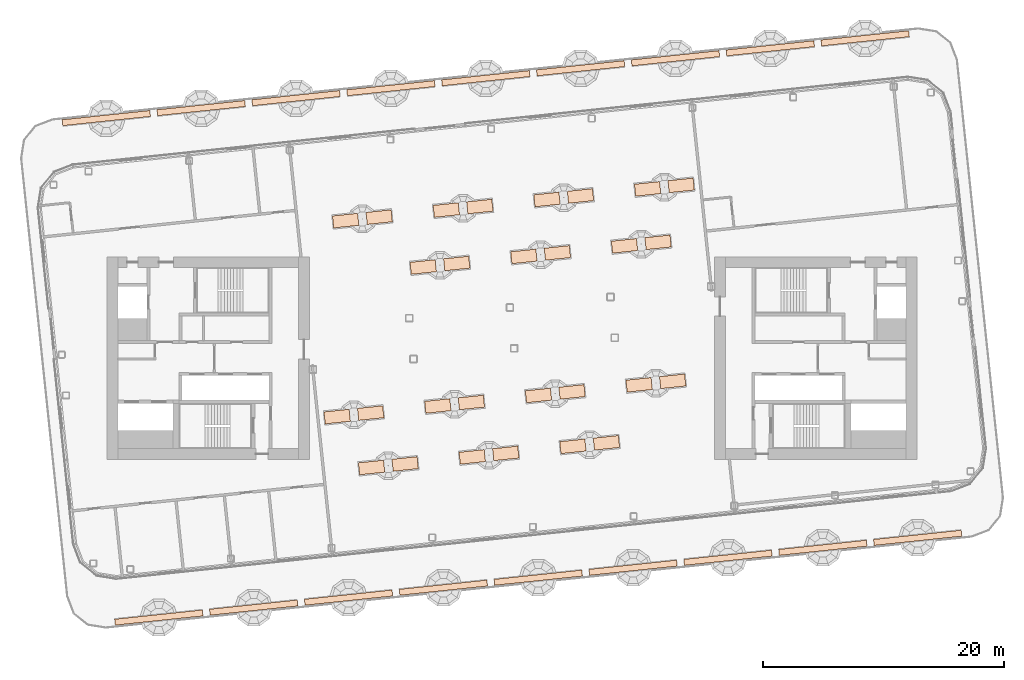
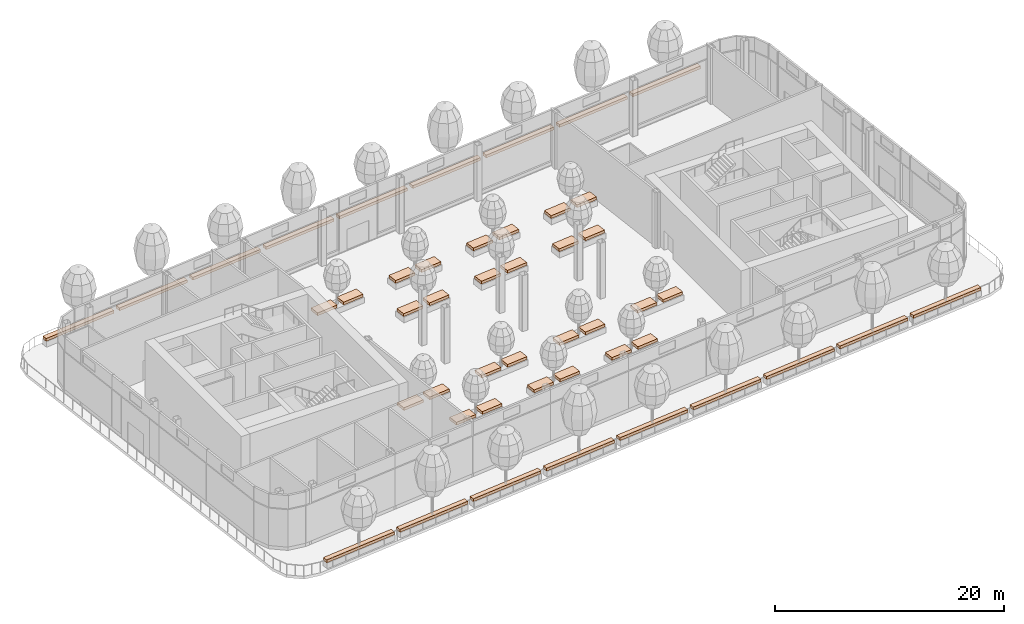
# One storey, part 36 of 42: 46 geographic elements.
"""IFC4 building model written with IfcOpenShell, lengths in metres."""

from ifc_helpers import new_model, si_unit, direction, frame, origin, origin_2d, place, context, subcontext, project, spatial, rectangle, extrude, material, type_object, element, save


model = new_model("IFC4")

# Units and contexts
model_context = context("Model", 3, precision=1e-05, world=origin(), true_north=direction((0.0, 1.0)))
body_context = subcontext(model_context, "Body", "Model", "MODEL_VIEW")
ifc_project = project(units=[si_unit("LENGTHUNIT", "METRE"), si_unit("AREAUNIT", "SQUARE_METRE"), si_unit("VOLUMEUNIT", "CUBIC_METRE"), si_unit("PLANEANGLEUNIT", "RADIAN"), si_unit("MASSUNIT", "GRAM", prefix="KILO")], contexts=[model_context])

# Site, building, storey
site_placement = place(None, origin())
site = spatial("IfcSite", under=ifc_project, at=site_placement, CompositionType="ELEMENT")
building_placement = place(site_placement, origin())
building = spatial("IfcBuilding", under=site, at=building_placement, Name="Hakoniwa Tower and Hamabe Station Hall", CompositionType="ELEMENT")
storey_placement = place(building_placement, frame((0.0, 0.0, 232.60009765625)))
storey = spatial("IfcBuildingStorey", under=building, at=storey_placement, Name="L66", CompositionType="ELEMENT", Elevation=232.60009765625)

# Geographic elements
ifc_material_1 = material(Name="Shrub planting")
geographic_element_type_1 = type_object("IfcGeographicElementType", Name="Shrub planting bed 1000x300", PredefinedType="USERDEFINED", material=ifc_material_1)
for number, where, z_axis, x_axis, name in (
    (1, (-7.368896484375, 7.557373046875, 0.60009765625), (0.0, 0.0, 1.0), (0.994521895368, 0.104528463268, 0.0), "Shrub planting bed 1000x300"),
    (2, (-4.58447265625, 7.85009765625, 0.60009765625), (0.0, 0.0, 1.0), (0.994521895368, 0.104528463268, 0.0), "Shrub planting bed 1000x300"),
    (3, (0.98486328125, 8.435546875, 0.60009765625), (0.0, 0.0, 1.0), (0.994521895368, 0.104528463268, 0.0), "Shrub planting bed 1000x300"),
    (4, (3.76953125, 8.728271484375, 0.60009765625), (0.0, 0.0, 1.0), (0.994521895368, 0.104528463268, 0.0), "Shrub planting bed 1000x300"),
    (5, (9.3388671875, 9.3134765625, 0.60009765625), (0.0, 0.0, 1.0), (0.994521895368, 0.104528463268, 0.0), "Shrub planting bed 1000x300"),
    (6, (12.12353515625, 9.606201171875, 0.60009765625), (0.0, 0.0, 1.0), (0.994521895368, 0.104528463268, 0.0), "Shrub planting bed 1000x300"),
    (7, (-13.806640625, 11.405517578125, 0.60009765625), (0.0, 0.0, 1.0), (0.994521895368, 0.104528463268, 0.0), "Shrub planting bed 1000x300"),
    (8, (-11.02197265625, 11.6982421875, 0.60009765625), (0.0, 0.0, 1.0), (0.994521895368, 0.104528463268, 0.0), "Shrub planting bed 1000x300"),
    (9, (-5.45263671875, 12.28369140625, 0.60009765625), (0.0, 0.0, 1.0), (0.994521895368, 0.104528463268, 0.0), "Shrub planting bed 1000x300"),
    (10, (-2.66796875, 12.576416015625, 0.60009765625), (0.0, 0.0, 1.0), (0.994521895368, 0.104528463268, 0.0), "Shrub planting bed 1000x300"),
    (11, (2.9013671875, 13.16162109375, 0.60009765625), (0.0, 0.0, 1.0), (0.994521895368, 0.104528463268, 0.0), "Shrub planting bed 1000x300"),
    (12, (5.68603515625, 13.454345703125, 0.60009765625), (0.0, 0.0, 1.0), (0.994521895368, 0.104528463268, 0.0), "Shrub planting bed 1000x300"),
    (13, (11.25537109375, 14.039794921875, 0.60009765625), (0.0, 0.0, 1.0), (0.994521895368, 0.104528463268, 0.0), "Shrub planting bed 1000x300"),
    (14, (14.0400390625, 14.33251953125, 0.60009765625), (0.0, 0.0, 1.0), (0.994521895368, 0.104528463268, 0.0), "Shrub planting bed 1000x300"),
    (15, (-14.510498046875, -4.857177734375, 0.60009765625), (0.0, 0.0, 1.0), (0.994521895368, 0.104528463268, 0.0), "Shrub planting bed 1000x300"),
    (16, (-11.725830078125, -4.564453125, 0.60009765625), (0.0, 0.0, 1.0), (0.994521895368, 0.104528463268, 0.0), "Shrub planting bed 1000x300"),
    (17, (-6.156494140625, -3.97900390625, 0.60009765625), (0.0, 0.0, 1.0), (0.994521895368, 0.104528463268, 0.0), "Shrub planting bed 1000x300"),
    (18, (-3.371826171875, -3.686279296875, 0.60009765625), (0.0, 0.0, 1.0), (0.994521895368, 0.104528463268, 0.0), "Shrub planting bed 1000x300"),
    (19, (2.197509765625, -3.10107421875, 0.60009765625), (0.0, 0.0, 1.0), (0.994521895368, 0.104528463268, 0.0), "Shrub planting bed 1000x300"),
    (20, (4.982177734375, -2.808349609375, 0.60009765625), (0.0, 0.0, 1.0), (0.994521895368, 0.104528463268, 0.0), "Shrub planting bed 1000x300"),
    (21, (10.551513671875, -2.222900390625, 0.60009765625), (0.0, 0.0, 1.0), (0.994521895368, 0.104528463268, 0.0), "Shrub planting bed 1000x300"),
    (22, (13.336181640625, -1.93017578125, 0.60009765625), (0.0, 0.0, 1.0), (0.994521895368, 0.104528463268, 0.0), "Shrub planting bed 1000x300"),
    (23, (-11.6533203125, -9.08154296875, 0.60009765625), (0.0, 0.0, 1.0), (0.994521895368, 0.104528463268, 0.0), "Shrub planting bed 1000x300"),
    (24, (-8.86865234375, -8.788818359375, 0.60009765625), (0.0, 0.0, 1.0), (0.994521895368, 0.104528463268, 0.0), "Shrub planting bed 1000x300"),
    (25, (-3.29931640625, -8.20361328125, 0.60009765625), (0.0, 0.0, 1.0), (0.994521895368, 0.104528463268, 0.0), "Shrub planting bed 1000x300"),
    (26, (-0.5146484375, -7.910888671875, 0.60009765625), (0.0, 0.0, 1.0), (0.994521895368, 0.104528463268, 0.0), "Shrub planting bed 1000x300"),
    (27, (5.0546875, -7.325439453125, 0.60009765625), (0.0, 0.0, 1.0), (0.994521895368, 0.104528463268, 0.0), "Shrub planting bed 1000x300"),
    (28, (7.83935546875, -7.03271484375, 0.60009765625), (0.0, 0.0, 1.0), (0.994521895368, 0.104528463268, 0.0), "Shrub planting bed 1000x300"),
):
    element("IfcGeographicElement", number, at=place(storey_placement, frame(where, z_axis=z_axis, x_axis=x_axis)), inside=storey, type_object=geographic_element_type_1, Name=name, ObjectType="PLANTING", PredefinedType="USERDEFINED", context=body_context, shape_type="SweptSolid", body=[
        extrude(rectangle(XDim=2.10009765625, YDim=1.0, at=origin_2d()), origin(), (0.0, 0.0, 1.0), 0.300048828125),
    ])
ifc_material_2 = material(Name="Shrub planting")
geographic_element_type_2 = type_object("IfcGeographicElementType", Name="Shrub planting bed 500x300", PredefinedType="USERDEFINED", material=ifc_material_2)
for number, where, z_axis, x_axis, name in (
    (29, (29.3115234375, 26.536865234375, 0.60009765625), (0.0, 0.0, 1.0), (-0.994521895496, -0.104528462053, 0.0), "Shrub planting bed 500x300"),
    (30, (21.439208984375, 25.70947265625, 0.60009765625), (0.0, 0.0, 1.0), (-0.994521895496, -0.104528462053, 0.0), "Shrub planting bed 500x300"),
    (31, (13.566650390625, 24.882080078125, 0.60009765625), (0.0, 0.0, 1.0), (-0.994521895496, -0.104528462053, 0.0), "Shrub planting bed 500x300"),
    (32, (5.694091796875, 24.0546875, 0.60009765625), (0.0, 0.0, 1.0), (-0.994521895496, -0.104528462053, 0.0), "Shrub planting bed 500x300"),
    (33, (-2.178466796875, 23.227294921875, 0.60009765625), (0.0, 0.0, 1.0), (-0.994521895496, -0.104528462053, 0.0), "Shrub planting bed 500x300"),
    (34, (-10.051025390625, 22.399658203125, 0.60009765625), (0.0, 0.0, 1.0), (-0.994521895496, -0.104528462053, 0.0), "Shrub planting bed 500x300"),
    (35, (-17.923583984375, 21.572265625, 0.60009765625), (0.0, 0.0, 1.0), (-0.994521895496, -0.104528462053, 0.0), "Shrub planting bed 500x300"),
    (36, (-25.796142578125, 20.744873046875, 0.60009765625), (0.0, 0.0, 1.0), (-0.994521895496, -0.104528462053, 0.0), "Shrub planting bed 500x300"),
    (37, (-33.668701171875, 19.91748046875, 0.60009765625), (0.0, 0.0, 1.0), (-0.994521895496, -0.104528462053, 0.0), "Shrub planting bed 500x300"),
    (38, (-29.3115234375, -21.536865234375, 0.60009765625), (0.0, 0.0, 1.0), (0.994521895496, 0.104528462053, 0.0), "Shrub planting bed 500x300"),
    (39, (-21.439208984375, -20.70947265625, 0.60009765625), (0.0, 0.0, 1.0), (0.994521895496, 0.104528462053, 0.0), "Shrub planting bed 500x300"),
    (40, (-13.566650390625, -19.882080078125, 0.60009765625), (0.0, 0.0, 1.0), (0.994521895496, 0.104528462053, 0.0), "Shrub planting bed 500x300"),
    (41, (-5.694091796875, -19.0546875, 0.60009765625), (0.0, 0.0, 1.0), (0.994521895496, 0.104528462053, 0.0), "Shrub planting bed 500x300"),
    (42, (2.178466796875, -18.227294921875, 0.60009765625), (0.0, 0.0, 1.0), (0.994521895496, 0.104528462053, 0.0), "Shrub planting bed 500x300"),
    (43, (10.051025390625, -17.399658203125, 0.60009765625), (0.0, 0.0, 1.0), (0.994521895496, 0.104528462053, 0.0), "Shrub planting bed 500x300"),
    (44, (17.923583984375, -16.572265625, 0.60009765625), (0.0, 0.0, 1.0), (0.994521895496, 0.104528462053, 0.0), "Shrub planting bed 500x300"),
    (45, (25.796142578125, -15.744873046875, 0.60009765625), (0.0, 0.0, 1.0), (0.994521895496, 0.104528462053, 0.0), "Shrub planting bed 500x300"),
    (46, (33.668701171875, -14.91748046875, 0.60009765625), (0.0, 0.0, 1.0), (0.994521895496, 0.104528462053, 0.0), "Shrub planting bed 500x300"),
):
    element("IfcGeographicElement", number, at=place(storey_placement, frame(where, z_axis=z_axis, x_axis=x_axis)), inside=storey, type_object=geographic_element_type_2, Name=name, ObjectType="PLANTING", PredefinedType="USERDEFINED", context=body_context, shape_type="SweptSolid", body=[
        extrude(rectangle(XDim=7.31591796875, YDim=0.5, at=origin_2d()), origin(), (0.0, 0.0, 1.0), 0.300048828125),
    ])

save(model, "model.ifc")
